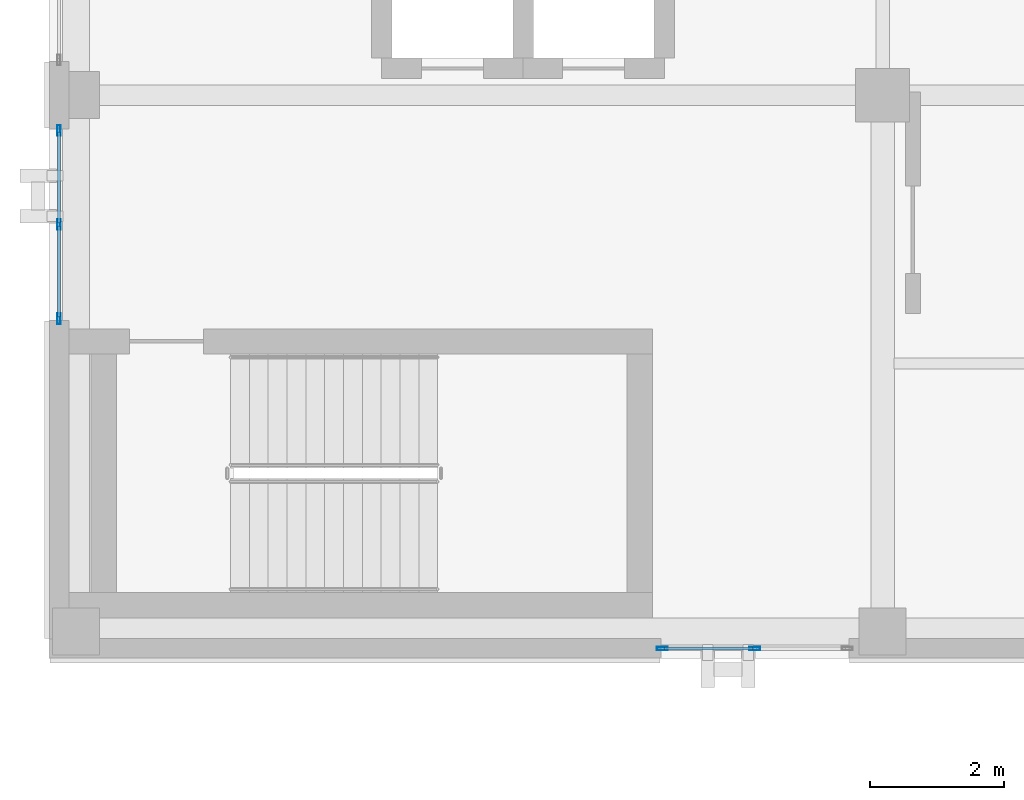
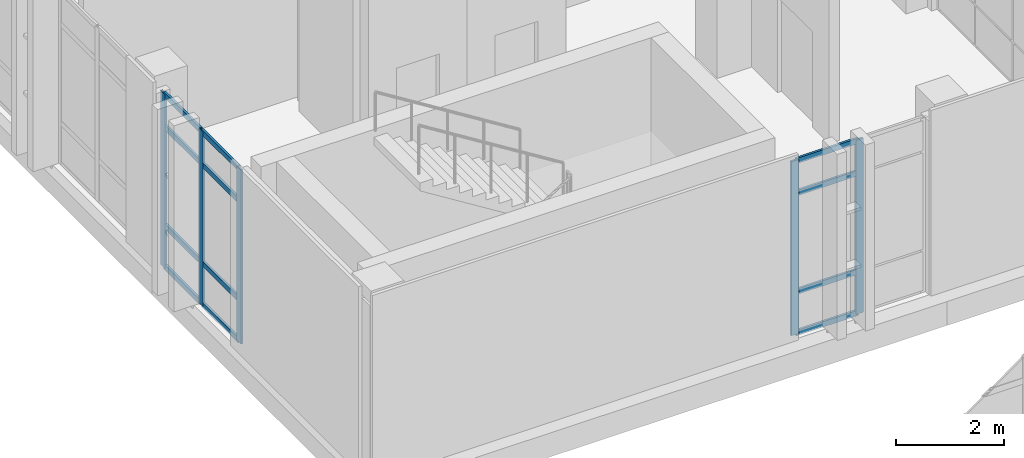
# One storey, part 22 of 165: 17 members, 2 elements without a shape of their own.
"""IFC4 building model written with IfcOpenShell, lengths in metres."""

from ifc_helpers import new_model, si_unit, direction, frame, origin, origin_2d, place, context, subcontext, project, spatial, hollow_rectangle, extrude, material, layer, layer_set, material_profile, profile_set, type_object, element, aggregate, save


model = new_model("IFC4")

# Units and contexts
model_context = context("Model", 3, precision=1e-05, world=origin(), true_north=direction((0.0, 1.0)))
body_context = subcontext(model_context, "Body", "Model", "MODEL_VIEW")
ifc_project = project(units=[si_unit("LENGTHUNIT", "METRE"), si_unit("AREAUNIT", "SQUARE_METRE"), si_unit("VOLUMEUNIT", "CUBIC_METRE"), si_unit("PLANEANGLEUNIT", "RADIAN"), si_unit("MASSUNIT", "GRAM", prefix="KILO")], contexts=[model_context])

# Site, building, storey
site_placement = place(None, origin())
site = spatial("IfcSite", under=ifc_project, at=site_placement, CompositionType="ELEMENT")
building_placement = place(site_placement, origin())
building = spatial("IfcBuilding", under=site, at=building_placement, Name="Qalavern Law Courts", CompositionType="ELEMENT")
storey_placement = place(building_placement, frame((0.0, 0.0, 14.39990234375)))
storey = spatial("IfcBuildingStorey", under=building, at=storey_placement, Name="L03", CompositionType="ELEMENT", Elevation=14.39990234375)

# Curtain wall, members
ifc_material_1 = material(Name="Anodised aluminium and insulated glazing", Category="aluminium")
ifc_layer = layer(ifc_material_1, 0.172119140625)
ifc_layer_set = layer_set([ifc_layer], Name="Anodised aluminium and insulated glazing")
curtain_wall_type = type_object("IfcCurtainWallType", Name="ENV-CW-COURT", PredefinedType="USERDEFINED", material=ifc_layer_set)
curtain_wall_1_placement = place(storey_placement, origin())
curtain_wall_1 = element("IfcCurtainWall", 1, at=curtain_wall_1_placement, inside=storey, type_object=curtain_wall_type, Name="V3 unitised curtain wall L03 south 1", ObjectType="UNITISED CURTAIN WALL", PredefinedType="USERDEFINED")
ifc_material_2 = material(Name="Anodised aluminium", Category="aluminium")
ifc_material_profile_1 = material_profile(ifc_material_2, hollow_rectangle(XDim=0.048095703125, YDim=0.159912109375, WallThickness=0.00390625, at=origin_2d()), Name="ALU MULLION 48x160")
ifc_profile_set_1 = profile_set([ifc_material_profile_1], Name="Anodised aluminium")
member_type_1 = type_object("IfcMemberType", Name="ENV-CWM-48x160", PredefinedType="MULLION", material=ifc_profile_set_1)
member_1_placement = place(storey_placement, frame((11.1240234375, 41.16748046875, 0.0), z_axis=(0.0, 0.0, 1.0), x_axis=(0.0, 1.0, 0.0)))
member_1 = element("IfcMember", 2, at=member_1_placement, type_object=member_type_1, Name="CW-03 mullion 1", PredefinedType="MULLION", context=body_context, shape_type="SweptSolid", body=[
    extrude(hollow_rectangle(XDim=0.048095703125, YDim=0.159912109375, WallThickness=0.00390625, at=origin_2d()), origin(), (0.0, 0.0, 1.0), 3.920166015625),
])
member_2_placement = place(storey_placement, frame((12.5, 41.16748046875, 0.0), z_axis=(0.0, 0.0, 1.0), x_axis=(0.0, 1.0, 0.0)))
member_2 = element("IfcMember", 3, at=member_2_placement, type_object=member_type_1, Name="CW-03 mullion 2", PredefinedType="MULLION", context=body_context, shape_type="SweptSolid", body=[
    extrude(hollow_rectangle(XDim=0.048095703125, YDim=0.159912109375, WallThickness=0.00390625, at=origin_2d()), origin(), (0.0, 0.0, 1.0), 3.920166015625),
])

curtain_wall_2_placement = place(storey_placement, origin())
curtain_wall_2 = element("IfcCurtainWall", 4, at=curtain_wall_2_placement, inside=storey, type_object=curtain_wall_type, Name="V3 unitised curtain wall L03 west 7", ObjectType="UNITISED CURTAIN WALL", PredefinedType="USERDEFINED")
member_3_placement = place(storey_placement, frame((2.1474609375, 48.8759765625, 0.0), z_axis=(0.0, 0.0, 1.0), x_axis=(1.0, 0.0, 0.0)))
member_3 = element("IfcMember", 5, at=member_3_placement, type_object=member_type_1, Name="CW-03 mullion 1", PredefinedType="MULLION", context=body_context, shape_type="SweptSolid", body=[
    extrude(hollow_rectangle(XDim=0.048095703125, YDim=0.159912109375, WallThickness=0.00390625, at=origin_2d()), origin(), (0.0, 0.0, 1.0), 3.920166015625),
])
member_4_placement = place(storey_placement, frame((2.1474609375, 47.47509765625, 0.0), z_axis=(0.0, 0.0, 1.0), x_axis=(1.0, 0.0, 0.0)))
member_4 = element("IfcMember", 6, at=member_4_placement, type_object=member_type_1, Name="CW-03 mullion 2", PredefinedType="MULLION", context=body_context, shape_type="SweptSolid", body=[
    extrude(hollow_rectangle(XDim=0.048095703125, YDim=0.159912109375, WallThickness=0.00390625, at=origin_2d()), origin(), (0.0, 0.0, 1.0), 3.920166015625),
])
member_5_placement = place(storey_placement, frame((2.1474609375, 46.073974609375, 0.0), z_axis=(0.0, 0.0, 1.0), x_axis=(1.0, 0.0, 0.0)))
member_5 = element("IfcMember", 7, at=member_5_placement, type_object=member_type_1, Name="CW-03 mullion 3", PredefinedType="MULLION", context=body_context, shape_type="SweptSolid", body=[
    extrude(hollow_rectangle(XDim=0.048095703125, YDim=0.159912109375, WallThickness=0.00390625, at=origin_2d()), origin(), (0.0, 0.0, 1.0), 3.920166015625),
])

# Member
ifc_material_profile_2 = material_profile(ifc_material_2, hollow_rectangle(XDim=0.048095703125, YDim=0.1201171875, WallThickness=0.00390625, at=origin_2d()), Name="ALU TRANSOM 48x120")
ifc_profile_set_2 = profile_set([ifc_material_profile_2], Name="Anodised aluminium")
member_type_2 = type_object("IfcMemberType", Name="ENV-CWT-48x120", PredefinedType="USERDEFINED", material=ifc_profile_set_2)
member_6_placement = place(storey_placement, frame((11.14794921875, 41.16748046875, 0.024169921875), z_axis=(1.0, 0.0, 0.0), x_axis=(0.0, 1.0, 0.0)))
member_6 = element("IfcMember", 8, at=member_6_placement, type_object=member_type_2, Name="CW-03 transom 1.1", ObjectType="TRANSOM", PredefinedType="USERDEFINED", context=body_context, shape_type="SweptSolid", body=[
    extrude(hollow_rectangle(XDim=0.048095703125, YDim=0.1201171875, WallThickness=0.00390625, at=origin_2d()), origin(), (0.0, 0.0, 1.0), 1.328125),
])

member_7_placement = place(storey_placement, frame((11.14794921875, 41.16748046875, 0.9501953125), z_axis=(1.0, 0.0, 0.0), x_axis=(0.0, 1.0, 0.0)))
member_7 = element("IfcMember", 9, at=member_7_placement, type_object=member_type_2, Name="CW-03 transom 1.2", ObjectType="TRANSOM", PredefinedType="USERDEFINED", context=body_context, shape_type="SweptSolid", body=[
    extrude(hollow_rectangle(XDim=0.048095703125, YDim=0.1201171875, WallThickness=0.00390625, at=origin_2d()), origin(), (0.0, 0.0, 1.0), 1.328125),
])

member_8_placement = place(storey_placement, frame((11.14794921875, 41.16748046875, 3.170166015625), z_axis=(1.0, 0.0, 0.0), x_axis=(0.0, 1.0, 0.0)))
member_8 = element("IfcMember", 10, at=member_8_placement, type_object=member_type_2, Name="CW-03 transom 1.3", ObjectType="TRANSOM", PredefinedType="USERDEFINED", context=body_context, shape_type="SweptSolid", body=[
    extrude(hollow_rectangle(XDim=0.048095703125, YDim=0.1201171875, WallThickness=0.00390625, at=origin_2d()), origin(), (0.0, 0.0, 1.0), 1.328125),
])

member_9_placement = place(storey_placement, frame((11.14794921875, 41.16748046875, 3.89599609375), z_axis=(1.0, 0.0, 0.0), x_axis=(0.0, 1.0, 0.0)))
member_9 = element("IfcMember", 11, at=member_9_placement, type_object=member_type_2, Name="CW-03 transom 1.4", ObjectType="TRANSOM", PredefinedType="USERDEFINED", context=body_context, shape_type="SweptSolid", body=[
    extrude(hollow_rectangle(XDim=0.048095703125, YDim=0.1201171875, WallThickness=0.00390625, at=origin_2d()), origin(), (0.0, 0.0, 1.0), 1.328125),
])

aggregate(curtain_wall_1, [member_1, member_2, member_6, member_7, member_8, member_9])

member_10_placement = place(storey_placement, frame((2.1474609375, 48.85205078125, 0.024169921875), z_axis=(0.0, -1.0, 0.0), x_axis=(1.0, 0.0, 0.0)))
member_10 = element("IfcMember", 12, at=member_10_placement, type_object=member_type_2, Name="CW-03 transom 1.1", ObjectType="TRANSOM", PredefinedType="USERDEFINED", context=body_context, shape_type="SweptSolid", body=[
    extrude(hollow_rectangle(XDim=0.048095703125, YDim=0.1201171875, WallThickness=0.00390625, at=origin_2d()), origin(), (0.0, 0.0, 1.0), 1.35302734375),
])

member_11_placement = place(storey_placement, frame((2.1474609375, 48.85205078125, 0.9501953125), z_axis=(0.0, -1.0, 0.0), x_axis=(1.0, 0.0, 0.0)))
member_11 = element("IfcMember", 13, at=member_11_placement, type_object=member_type_2, Name="CW-03 transom 1.2", ObjectType="TRANSOM", PredefinedType="USERDEFINED", context=body_context, shape_type="SweptSolid", body=[
    extrude(hollow_rectangle(XDim=0.048095703125, YDim=0.1201171875, WallThickness=0.00390625, at=origin_2d()), origin(), (0.0, 0.0, 1.0), 1.35302734375),
])

member_12_placement = place(storey_placement, frame((2.1474609375, 48.85205078125, 3.170166015625), z_axis=(0.0, -1.0, 0.0), x_axis=(1.0, 0.0, 0.0)))
member_12 = element("IfcMember", 14, at=member_12_placement, type_object=member_type_2, Name="CW-03 transom 1.3", ObjectType="TRANSOM", PredefinedType="USERDEFINED", context=body_context, shape_type="SweptSolid", body=[
    extrude(hollow_rectangle(XDim=0.048095703125, YDim=0.1201171875, WallThickness=0.00390625, at=origin_2d()), origin(), (0.0, 0.0, 1.0), 1.35302734375),
])

member_13_placement = place(storey_placement, frame((2.1474609375, 48.85205078125, 3.89599609375), z_axis=(0.0, -1.0, 0.0), x_axis=(1.0, 0.0, 0.0)))
member_13 = element("IfcMember", 15, at=member_13_placement, type_object=member_type_2, Name="CW-03 transom 1.4", ObjectType="TRANSOM", PredefinedType="USERDEFINED", context=body_context, shape_type="SweptSolid", body=[
    extrude(hollow_rectangle(XDim=0.048095703125, YDim=0.1201171875, WallThickness=0.00390625, at=origin_2d()), origin(), (0.0, 0.0, 1.0), 1.35302734375),
])

member_14_placement = place(storey_placement, frame((2.1474609375, 47.450927734375, 0.024169921875), z_axis=(0.0, -1.0, 0.0), x_axis=(1.0, 0.0, 0.0)))
member_14 = element("IfcMember", 16, at=member_14_placement, type_object=member_type_2, Name="CW-03 transom 2.1", ObjectType="TRANSOM", PredefinedType="USERDEFINED", context=body_context, shape_type="SweptSolid", body=[
    extrude(hollow_rectangle(XDim=0.048095703125, YDim=0.1201171875, WallThickness=0.00390625, at=origin_2d()), origin(), (0.0, 0.0, 1.0), 1.35302734375),
])

member_15_placement = place(storey_placement, frame((2.1474609375, 47.450927734375, 0.9501953125), z_axis=(0.0, -1.0, 0.0), x_axis=(1.0, 0.0, 0.0)))
member_15 = element("IfcMember", 17, at=member_15_placement, type_object=member_type_2, Name="CW-03 transom 2.2", ObjectType="TRANSOM", PredefinedType="USERDEFINED", context=body_context, shape_type="SweptSolid", body=[
    extrude(hollow_rectangle(XDim=0.048095703125, YDim=0.1201171875, WallThickness=0.00390625, at=origin_2d()), origin(), (0.0, 0.0, 1.0), 1.35302734375),
])

member_16_placement = place(storey_placement, frame((2.1474609375, 47.450927734375, 3.170166015625), z_axis=(0.0, -1.0, 0.0), x_axis=(1.0, 0.0, 0.0)))
member_16 = element("IfcMember", 18, at=member_16_placement, type_object=member_type_2, Name="CW-03 transom 2.3", ObjectType="TRANSOM", PredefinedType="USERDEFINED", context=body_context, shape_type="SweptSolid", body=[
    extrude(hollow_rectangle(XDim=0.048095703125, YDim=0.1201171875, WallThickness=0.00390625, at=origin_2d()), origin(), (0.0, 0.0, 1.0), 1.35302734375),
])

member_17_placement = place(storey_placement, frame((2.1474609375, 47.450927734375, 3.89599609375), z_axis=(0.0, -1.0, 0.0), x_axis=(1.0, 0.0, 0.0)))
member_17 = element("IfcMember", 19, at=member_17_placement, type_object=member_type_2, Name="CW-03 transom 2.4", ObjectType="TRANSOM", PredefinedType="USERDEFINED", context=body_context, shape_type="SweptSolid", body=[
    extrude(hollow_rectangle(XDim=0.048095703125, YDim=0.1201171875, WallThickness=0.00390625, at=origin_2d()), origin(), (0.0, 0.0, 1.0), 1.35302734375),
])

aggregate(curtain_wall_2, [member_3, member_4, member_5, member_10, member_11, member_12, member_13, member_14, member_15, member_16, member_17])

save(model, "model.ifc")
